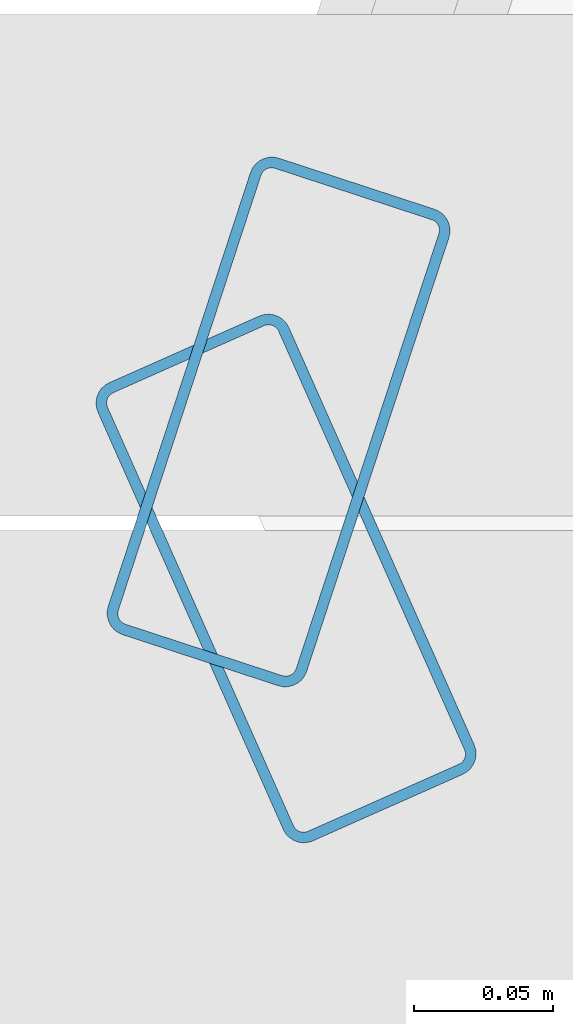
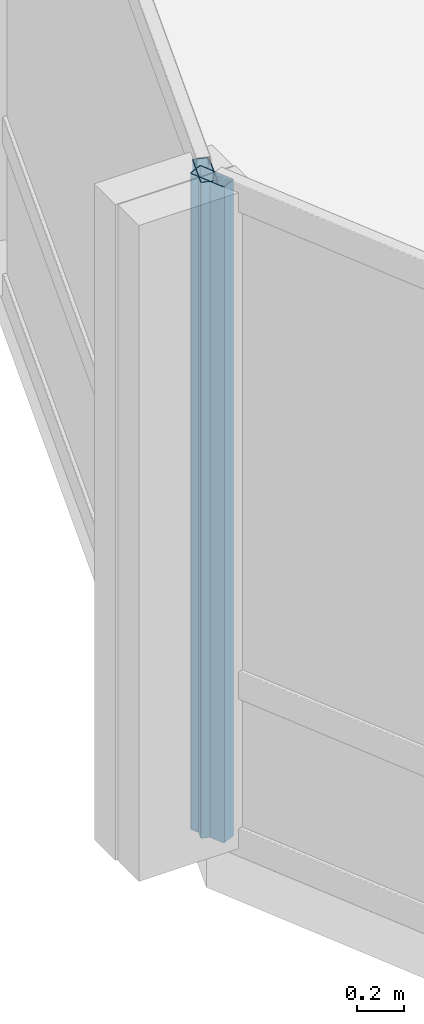
# One storey, part 6 of 34: 2 members, 2 elements without a shape of their own.
"""IFC4 building model written with IfcOpenShell, lengths in metres."""

from ifc_helpers import new_model, si_unit, direction, frame, origin, origin_2d, place, context, subcontext, project, spatial, hollow_rectangle, extrude, material, layer, layer_set, material_profile, profile_set, type_object, element, aggregate, save


model = new_model("IFC4")

# Units and contexts
model_context = context("Model", 3, precision=1e-05, world=origin(), true_north=direction((0.0, 1.0)))
body_context = subcontext(model_context, "Body", "Model", "MODEL_VIEW")
ifc_project = project(units=[si_unit("LENGTHUNIT", "METRE"), si_unit("AREAUNIT", "SQUARE_METRE"), si_unit("VOLUMEUNIT", "CUBIC_METRE"), si_unit("PLANEANGLEUNIT", "RADIAN"), si_unit("MASSUNIT", "GRAM", prefix="KILO")], contexts=[model_context])

# Site, building, storey
site_placement = place(None, origin())
site = spatial("IfcSite", under=ifc_project, at=site_placement, CompositionType="ELEMENT")
building_placement = place(site_placement, origin())
building = spatial("IfcBuilding", under=site, at=building_placement, Name="Solvaryn Broadcast Tower", CompositionType="ELEMENT")
storey_placement = place(building_placement, frame((0.0, 0.0, 92.800048828125)))
storey = spatial("IfcBuildingStorey", under=building, at=storey_placement, Name="L22", CompositionType="ELEMENT", Elevation=92.800048828125)

# Curtain wall, member
ifc_material_1 = material(Name="Aluminium and Terracotta Unitised Curtain Wall", Category="masonry")
ifc_layer_1 = layer(ifc_material_1, 0.199951171875)
ifc_layer_set_1 = layer_set([ifc_layer_1], Name="CW-SYS2-LOWMID")
curtain_wall_type_1 = type_object("IfcCurtainWallType", Name="CW-SYS2-LOWMID", PredefinedType="NOTDEFINED", material=ifc_layer_set_1)
curtain_wall_1_placement = place(storey_placement, origin())
curtain_wall_1 = element("IfcCurtainWall", 1, at=curtain_wall_1_placement, inside=storey, type_object=curtain_wall_type_1, Name="L22 Curtain Wall DR1", PredefinedType="NOTDEFINED")
ifc_material_2 = material(Name="Anodised Aluminium 6063-T6", Category="aluminium")
ifc_material_profile = material_profile(ifc_material_2, hollow_rectangle(XDim=0.074951171875, YDim=0.179931640625, WallThickness=0.00390625, InnerFilletRadius=0.00390625, OuterFilletRadius=0.008056640625, at=origin_2d()))
ifc_profile_set = profile_set([ifc_material_profile], Name="Anodised Aluminium 6063-T6")
member_type = type_object("IfcMemberType", Name="CW-MUL-180", PredefinedType="MULLION", material=ifc_profile_set)
member_1_placement = place(storey_placement, frame((-0.45458984375, 26.588623046875, 0.0), z_axis=(0.0, 0.0, 1.0), x_axis=(0.950215318429, -0.311594044587, 0.0)))
member_1 = element("IfcMember", 2, at=member_1_placement, type_object=member_type, Name="CWS2 mullion 2", PredefinedType="MULLION", context=body_context, shape_type="SweptSolid", body=[
    extrude(hollow_rectangle(XDim=0.074951171875, YDim=0.179931640625, WallThickness=0.00390625, InnerFilletRadius=0.00390625, OuterFilletRadius=0.008056640625, at=origin_2d()), origin(), (0.0, 0.0, 1.0), 3.419921875),
])
aggregate(curtain_wall_1, [member_1])

ifc_material_3 = material(Name="Aluminium and Terracotta Unitised Curtain Wall", Category="masonry")
ifc_layer_2 = layer(ifc_material_3, 0.239990234375)
ifc_layer_set_2 = layer_set([ifc_layer_2], Name="CW-SYS3-BAYBOX")
curtain_wall_type_2 = type_object("IfcCurtainWallType", Name="CW-SYS3-BAYBOX", PredefinedType="NOTDEFINED", material=ifc_layer_set_2)
curtain_wall_2_placement = place(storey_placement, origin())
curtain_wall_2 = element("IfcCurtainWall", 3, at=curtain_wall_2_placement, inside=storey, type_object=curtain_wall_type_2, Name="L22 Curtain Wall DR2", PredefinedType="NOTDEFINED")
member_2_placement = place(storey_placement, frame((-0.451904296875, 26.532470703125, 0.0), z_axis=(0.0, 0.0, 1.0), x_axis=(0.913918257271, 0.405898286554, 0.0)))
member_2 = element("IfcMember", 4, at=member_2_placement, type_object=member_type, Name="CWS3 mullion 1", PredefinedType="MULLION", context=body_context, shape_type="SweptSolid", body=[
    extrude(hollow_rectangle(XDim=0.074951171875, YDim=0.179931640625, WallThickness=0.00390625, InnerFilletRadius=0.00390625, OuterFilletRadius=0.008056640625, at=origin_2d()), origin(), (0.0, 0.0, 1.0), 3.419921875),
])
aggregate(curtain_wall_2, [member_2])

save(model, "model.ifc")
